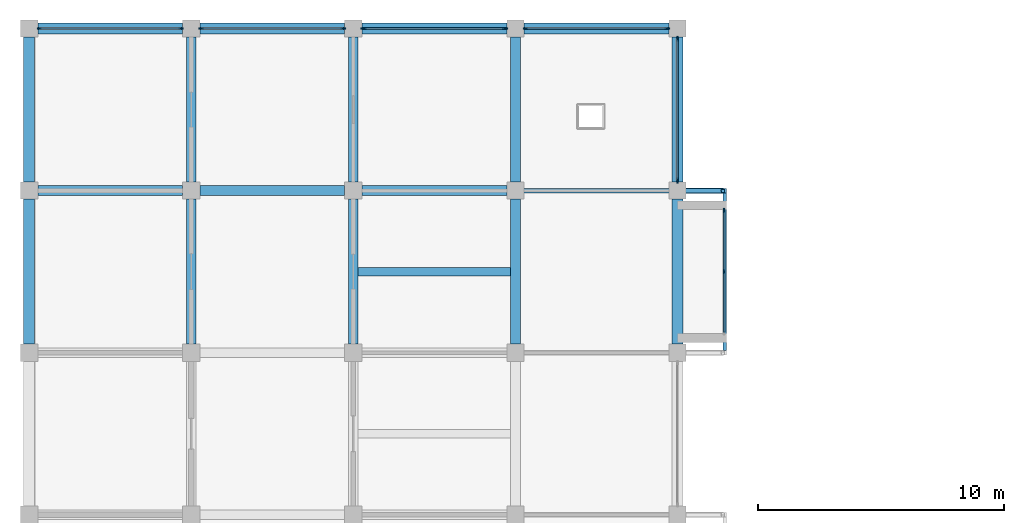
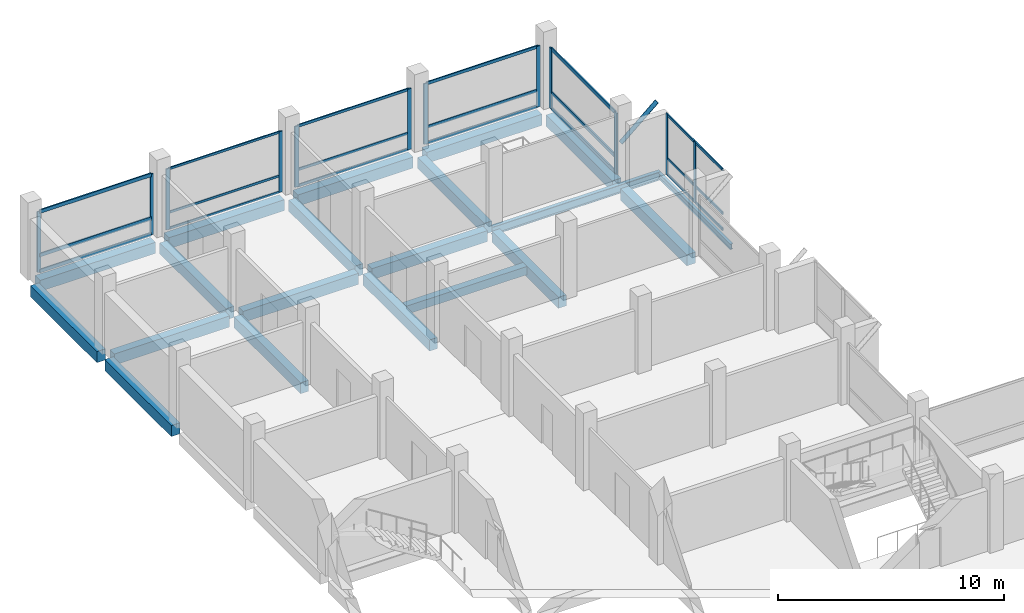
# One storey, part 5 of 10: 34 members, 20 beams, 6 elements without a shape of their own.
"""IFC4 building model written with IfcOpenShell, lengths in metres."""

from ifc_helpers import new_model, si_unit, direction, frame, origin, origin_2d, place, context, subcontext, project, spatial, rectangle, hollow_circle, i_section, extrude, material, material_profile, profile_set, type_object, element, aggregate, save


model = new_model("IFC4")

# Units and contexts
model_context = context("Model", 3, precision=1e-05, world=origin(), true_north=direction((0.0, 1.0)))
body_context = subcontext(model_context, "Body", "Model", "MODEL_VIEW")
ifc_project = project(units=[si_unit("LENGTHUNIT", "METRE"), si_unit("AREAUNIT", "SQUARE_METRE"), si_unit("VOLUMEUNIT", "CUBIC_METRE"), si_unit("PLANEANGLEUNIT", "RADIAN"), si_unit("MASSUNIT", "GRAM", prefix="KILO")], contexts=[model_context])

# Site, building, storey
site_placement = place(None, origin())
site = spatial("IfcSite", under=ifc_project, at=site_placement, CompositionType="ELEMENT")
building_placement = place(site_placement, origin())
building = spatial("IfcBuilding", under=site, at=building_placement, Name="Rusizi Kubbe Research Institute", CompositionType="ELEMENT")
storey_placement = place(building_placement, frame((0.0, 0.0, 48.0)))
storey = spatial("IfcBuildingStorey", under=building, at=storey_placement, Name="L11", CompositionType="ELEMENT", Elevation=48.0)

# Beams
ifc_material_1 = material(Name="Steel S355", Category="steel")
ifc_material_profile_1 = material_profile(ifc_material_1, i_section(OverallWidth=0.14990234375, OverallDepth=0.300048828125, WebThickness=0.007080078125, FlangeThickness=0.0107421875, at=origin_2d()), Name="IPE 300")
ifc_profile_set_1 = profile_set([ifc_material_profile_1], Name="Steel S355")
beam_type_1 = type_object("IfcBeamType", Name="BM-IPE300", PredefinedType="BEAM", material=ifc_profile_set_1)
beam_1_placement = place(storey_placement, frame((28.324951171875, 46.294921875, -0.4599609375), z_axis=(0.0, 1.0, 0.0), x_axis=(-1.0, 0.0, 0.0)))
element("IfcBeam", 1, at=beam_1_placement, inside=storey, type_object=beam_type_1, Name="Cumba Edge Tie Beam L11-2", PredefinedType="BEAM", context=body_context, shape_type="SweptSolid", body=[
    extrude(i_section(OverallWidth=0.14990234375, OverallDepth=0.300048828125, WebThickness=0.007080078125, FlangeThickness=0.0107421875, at=origin_2d()), origin(), (0.0, 0.0, 1.0), 6.41015625),
])
ifc_material_2 = material(Name="Steel S355", Category="steel")
ifc_material_profile_2 = material_profile(ifc_material_2, i_section(OverallWidth=0.18994140625, OverallDepth=0.449951171875, WebThickness=0.009521484375, FlangeThickness=0.0146484375, at=origin_2d()), Name="IPE 450")
ifc_profile_set_2 = profile_set([ifc_material_profile_2], Name="Steel S355")
beam_type_2 = type_object("IfcBeamType", Name="BM-IPE450", PredefinedType="BEAM", material=ifc_profile_set_2)
beam_2_placement = place(storey_placement, frame((19.800048828125, 52.800048828125, -0.534912109375), z_axis=(1.0, 0.0, 0.0), x_axis=(0.0, 1.0, 0.0)))
element("IfcBeam", 2, at=beam_2_placement, inside=storey, type_object=beam_type_2, Name="Cumba Back-Spanned Cantilever Beam L11-2N", PredefinedType="BEAM", context=body_context, shape_type="SweptSolid", body=[
    extrude(i_section(OverallWidth=0.18994140625, OverallDepth=0.449951171875, WebThickness=0.009521484375, FlangeThickness=0.0146484375, at=origin_2d()), origin(), (0.0, 0.0, 1.0), 8.599853515625),
])
ifc_material_3 = material(Name="Concrete C40/50", Category="concrete")
ifc_material_profile_3 = material_profile(ifc_material_3, rectangle(XDim=0.35009765625, YDim=0.449951171875, at=origin_2d()), Name="RC350x450")
ifc_profile_set_3 = profile_set([ifc_material_profile_3], Name="Concrete C40/50")
beam_type_3 = type_object("IfcBeamType", Name="BM-RC350x450", PredefinedType="JOIST", material=ifc_profile_set_3)
beam_3_placement = place(storey_placement, frame((13.39990234375, 49.5, -0.534912109375), z_axis=(1.0, 0.0, 0.0), x_axis=(0.0, 1.0, 0.0)))
element("IfcBeam", 3, at=beam_3_placement, inside=storey, type_object=beam_type_3, Name="Lab Stiffener Joist L11 (2,7)", PredefinedType="JOIST", context=body_context, shape_type="SweptSolid", body=[
    extrude(rectangle(XDim=0.35009765625, YDim=0.449951171875, at=origin_2d()), origin(), (0.0, 0.0, 1.0), 6.2001953125),
])
ifc_material_4 = material(Name="Concrete C40/50", Category="concrete")
ifc_material_profile_4 = material_profile(ifc_material_4, rectangle(XDim=0.39990234375, YDim=0.60009765625, at=origin_2d()), Name="RC400x600")
ifc_profile_set_4 = profile_set([ifc_material_profile_4], Name="Concrete C40/50")
beam_type_4 = type_object("IfcBeamType", Name="BM-RC400x600", PredefinedType="BEAM", material=ifc_profile_set_4)
beam_4_placement = place(storey_placement, frame((0.35009765625, 52.800048828125, -0.610107421875), z_axis=(1.0, 0.0, 0.0), x_axis=(0.0, 1.0, 0.0)))
element("IfcBeam", 4, at=beam_4_placement, inside=storey, type_object=beam_type_4, Name="Grid Beam H L11 (0,8)", PredefinedType="BEAM", context=body_context, shape_type="SweptSolid", body=[
    extrude(rectangle(XDim=0.39990234375, YDim=0.60009765625, at=origin_2d()), origin(), (0.0, 0.0, 1.0), 5.89990234375),
])
beam_5_placement = place(storey_placement, frame((6.949951171875, 52.800048828125, -0.610107421875), z_axis=(1.0, 0.0, 0.0), x_axis=(0.0, 1.0, 0.0)))
element("IfcBeam", 5, at=beam_5_placement, inside=storey, type_object=beam_type_4, Name="Grid Beam H L11 (1,8)", PredefinedType="BEAM", context=body_context, shape_type="SweptSolid", body=[
    extrude(rectangle(XDim=0.39990234375, YDim=0.60009765625, at=origin_2d()), origin(), (0.0, 0.0, 1.0), 5.900146484375),
])
for number, where, z_axis, x_axis, name in (
    (6, (13.550048828125, 52.800048828125, -0.610107421875), (1.0, 0.0, 0.0), (0.0, 1.0, 0.0), "Grid Beam H L11 (2,8)"),
    (7, (6.60009765625, 46.550048828125, -0.610107421875), (0.0, 1.0, 0.0), (-1.0, 0.0, 0.0), "Grid Beam V L11 (1,7)"),
):
    element("IfcBeam", number, at=place(storey_placement, frame(where, z_axis=z_axis, x_axis=x_axis)), inside=storey, type_object=beam_type_4, Name=name, PredefinedType="BEAM", context=body_context, shape_type="SweptSolid", body=[
        extrude(rectangle(XDim=0.39990234375, YDim=0.60009765625, at=origin_2d()), origin(), (0.0, 0.0, 1.0), 5.89990234375),
    ])
beam_6_placement = place(storey_placement, frame((6.60009765625, 53.14990234375, -0.610107421875), z_axis=(0.0, 1.0, 0.0), x_axis=(-1.0, 0.0, 0.0)))
element("IfcBeam", 8, at=beam_6_placement, inside=storey, type_object=beam_type_4, Name="Grid Beam V L11 (1,8)", PredefinedType="BEAM", context=body_context, shape_type="SweptSolid", body=[
    extrude(rectangle(XDim=0.39990234375, YDim=0.60009765625, at=origin_2d()), origin(), (0.0, 0.0, 1.0), 5.900146484375),
])
beam_7_placement = place(storey_placement, frame((13.199951171875, 46.550048828125, -0.610107421875), z_axis=(0.0, 1.0, 0.0), x_axis=(-1.0, 0.0, 0.0)))
element("IfcBeam", 9, at=beam_7_placement, inside=storey, type_object=beam_type_4, Name="Grid Beam V L11 (2,7)", PredefinedType="BEAM", context=body_context, shape_type="SweptSolid", body=[
    extrude(rectangle(XDim=0.39990234375, YDim=0.60009765625, at=origin_2d()), origin(), (0.0, 0.0, 1.0), 5.89990234375),
])
beam_8_placement = place(storey_placement, frame((13.199951171875, 53.14990234375, -0.610107421875), z_axis=(0.0, 1.0, 0.0), x_axis=(-1.0, 0.0, 0.0)))
element("IfcBeam", 10, at=beam_8_placement, inside=storey, type_object=beam_type_4, Name="Grid Beam V L11 (2,8)", PredefinedType="BEAM", context=body_context, shape_type="SweptSolid", body=[
    extrude(rectangle(XDim=0.39990234375, YDim=0.60009765625, at=origin_2d()), origin(), (0.0, 0.0, 1.0), 5.900146484375),
])
beam_9_placement = place(storey_placement, frame((19.800048828125, 46.550048828125, -0.610107421875), z_axis=(0.0, 1.0, 0.0), x_axis=(-1.0, 0.0, 0.0)))
element("IfcBeam", 11, at=beam_9_placement, inside=storey, type_object=beam_type_4, Name="Grid Beam V L11 (3,7)", PredefinedType="BEAM", context=body_context, shape_type="SweptSolid", body=[
    extrude(rectangle(XDim=0.39990234375, YDim=0.60009765625, at=origin_2d()), origin(), (0.0, 0.0, 1.0), 5.89990234375),
])
beam_10_placement = place(storey_placement, frame((19.800048828125, 53.14990234375, -0.610107421875), z_axis=(0.0, 1.0, 0.0), x_axis=(-1.0, 0.0, 0.0)))
element("IfcBeam", 12, at=beam_10_placement, inside=storey, type_object=beam_type_4, Name="Grid Beam V L11 (3,8)", PredefinedType="BEAM", context=body_context, shape_type="SweptSolid", body=[
    extrude(rectangle(XDim=0.39990234375, YDim=0.60009765625, at=origin_2d()), origin(), (0.0, 0.0, 1.0), 5.900146484375),
])
ifc_material_5 = material(Name="Concrete C40/50", Category="concrete")
ifc_material_profile_5 = material_profile(ifc_material_5, rectangle(XDim=0.449951171875, YDim=0.60009765625, at=origin_2d()), Name="RC450x600")
ifc_profile_set_5 = profile_set([ifc_material_profile_5], Name="Concrete C40/50")
beam_type_5 = type_object("IfcBeamType", Name="BM-RC450x600", PredefinedType="SPANDREL", material=ifc_profile_set_5)
beam_11_placement = place(storey_placement, frame((0.35009765625, 59.39990234375, -0.610107421875), z_axis=(1.0, 0.0, 0.0), x_axis=(0.0, 1.0, 0.0)))
element("IfcBeam", 13, at=beam_11_placement, inside=storey, type_object=beam_type_5, Name="Grid Beam H L11 (0,9)", PredefinedType="SPANDREL", context=body_context, shape_type="SweptSolid", body=[
    extrude(rectangle(XDim=0.449951171875, YDim=0.60009765625, at=origin_2d()), origin(), (0.0, 0.0, 1.0), 5.89990234375),
])
beam_12_placement = place(storey_placement, frame((6.949951171875, 59.39990234375, -0.610107421875), z_axis=(1.0, 0.0, 0.0), x_axis=(0.0, 1.0, 0.0)))
element("IfcBeam", 14, at=beam_12_placement, inside=storey, type_object=beam_type_5, Name="Grid Beam H L11 (1,9)", PredefinedType="SPANDREL", context=body_context, shape_type="SweptSolid", body=[
    extrude(rectangle(XDim=0.449951171875, YDim=0.60009765625, at=origin_2d()), origin(), (0.0, 0.0, 1.0), 5.900146484375),
])
beam_13_placement = place(storey_placement, frame((13.550048828125, 59.39990234375, -0.610107421875), z_axis=(1.0, 0.0, 0.0), x_axis=(0.0, 1.0, 0.0)))
element("IfcBeam", 15, at=beam_13_placement, inside=storey, type_object=beam_type_5, Name="Grid Beam H L11 (2,9)", PredefinedType="SPANDREL", context=body_context, shape_type="SweptSolid", body=[
    extrude(rectangle(XDim=0.449951171875, YDim=0.60009765625, at=origin_2d()), origin(), (0.0, 0.0, 1.0), 5.89990234375),
])
beam_14_placement = place(storey_placement, frame((20.14990234375, 59.39990234375, -0.610107421875), z_axis=(1.0, 0.0, 0.0), x_axis=(0.0, 1.0, 0.0)))
element("IfcBeam", 16, at=beam_14_placement, inside=storey, type_object=beam_type_5, Name="Grid Beam H L11 (3,9)", PredefinedType="SPANDREL", context=body_context, shape_type="SweptSolid", body=[
    extrude(rectangle(XDim=0.449951171875, YDim=0.60009765625, at=origin_2d()), origin(), (0.0, 0.0, 1.0), 5.900146484375),
])
beam_15_placement = place(storey_placement, frame((0.0, 46.550048828125, -0.610107421875), z_axis=(0.0, 1.0, 0.0), x_axis=(-1.0, 0.0, 0.0)))
element("IfcBeam", 17, at=beam_15_placement, inside=storey, type_object=beam_type_5, Name="Grid Beam V L11 (0,7)", PredefinedType="SPANDREL", context=body_context, shape_type="SweptSolid", body=[
    extrude(rectangle(XDim=0.449951171875, YDim=0.60009765625, at=origin_2d()), origin(), (0.0, 0.0, 1.0), 5.89990234375),
])
beam_16_placement = place(storey_placement, frame((0.0, 53.14990234375, -0.610107421875), z_axis=(0.0, 1.0, 0.0), x_axis=(-1.0, 0.0, 0.0)))
element("IfcBeam", 18, at=beam_16_placement, inside=storey, type_object=beam_type_5, Name="Grid Beam V L11 (0,8)", PredefinedType="SPANDREL", context=body_context, shape_type="SweptSolid", body=[
    extrude(rectangle(XDim=0.449951171875, YDim=0.60009765625, at=origin_2d()), origin(), (0.0, 0.0, 1.0), 5.900146484375),
])
beam_17_placement = place(storey_placement, frame((26.39990234375, 46.550048828125, -0.610107421875), z_axis=(0.0, 1.0, 0.0), x_axis=(-1.0, 0.0, 0.0)))
element("IfcBeam", 19, at=beam_17_placement, inside=storey, type_object=beam_type_5, Name="Grid Beam V L11 (4,7)", PredefinedType="SPANDREL", context=body_context, shape_type="SweptSolid", body=[
    extrude(rectangle(XDim=0.449951171875, YDim=0.60009765625, at=origin_2d()), origin(), (0.0, 0.0, 1.0), 5.89990234375),
])
beam_18_placement = place(storey_placement, frame((26.39990234375, 53.14990234375, -0.610107421875), z_axis=(0.0, 1.0, 0.0), x_axis=(-1.0, 0.0, 0.0)))
element("IfcBeam", 20, at=beam_18_placement, inside=storey, type_object=beam_type_5, Name="Grid Beam V L11 (4,8)", PredefinedType="SPANDREL", context=body_context, shape_type="SweptSolid", body=[
    extrude(rectangle(XDim=0.449951171875, YDim=0.60009765625, at=origin_2d()), origin(), (0.0, 0.0, 1.0), 5.900146484375),
])

# Member
ifc_material_6 = material(Name="Steel S355", Category="steel")
ifc_material_profile_6 = material_profile(ifc_material_6, hollow_circle(Radius=0.109619140625, WallThickness=0.008056640625, at=origin_2d()), Name="CHS 219.1x8.0")
ifc_profile_set_6 = profile_set([ifc_material_profile_6], Name="Steel S355")
member_type_1 = type_object("IfcMemberType", Name="MB-CHS219", PredefinedType="BRACE", material=ifc_profile_set_6)
member_1_placement = place(storey_placement, frame((26.39990234375, 52.800048828125, 1.889892578125), z_axis=(0.756360503059, 0.0, 0.654155019405), x_axis=(0.0, 1.0, 0.0)))
element("IfcMember", 21, at=member_1_placement, inside=storey, type_object=member_type_1, Name="Cumba Diagonal Corbel Brace L12-2N", PredefinedType="BRACE", context=body_context, shape_type="SweptSolid", body=[
    extrude(hollow_circle(Radius=0.109619140625, WallThickness=0.008056640625, at=origin_2d()), origin(), (0.0, 0.0, 1.0), 2.446044921875),
])

# Curtain wall, members
ifc_material_7 = material(Name="Thermally Broken Aluminium and Low-E Glazing", Category="aluminium")
curtain_wall_type_1 = type_object("IfcCurtainWallType", Name="CW-12", PredefinedType="NOTDEFINED", material=ifc_material_7)
curtain_wall_1_placement = place(storey_placement, origin())
curtain_wall_1 = element("IfcCurtainWall", 22, at=curtain_wall_1_placement, inside=storey, type_object=curtain_wall_type_1, Name="Unitised Facade Curtain Wall CW-L11-H-00-09", PredefinedType="NOTDEFINED")
ifc_material_8 = material(Name="Aluminium Alloy 6063-T6", Category="aluminium")
ifc_material_profile_7 = material_profile(ifc_material_8, rectangle(XDim=0.06005859375, YDim=0.179931640625, at=origin_2d()), Name="ALU-M 60x180")
ifc_profile_set_7 = profile_set([ifc_material_profile_7], Name="Aluminium Alloy 6063-T6")
member_type_2 = type_object("IfcMemberType", Name="ML-02", PredefinedType="MULLION", material=ifc_profile_set_7)
member_2_placement = place(storey_placement, frame((0.409912109375, 59.39990234375, 0.0), z_axis=(0.0, 0.0, 1.0), x_axis=(0.0, 1.0, 0.0)))
member_2 = element("IfcMember", 23, at=member_2_placement, type_object=member_type_2, Name="CW-12 mullion 1", PredefinedType="MULLION", context=body_context, shape_type="SweptSolid", body=[
    extrude(rectangle(XDim=0.06005859375, YDim=0.179931640625, at=origin_2d()), origin(), (0.0, 0.0, 1.0), 3.2900390625),
])
member_3_placement = place(storey_placement, frame((6.18994140625, 59.39990234375, 0.0), z_axis=(0.0, 0.0, 1.0), x_axis=(0.0, 1.0, 0.0)))
member_3 = element("IfcMember", 24, at=member_3_placement, type_object=member_type_2, Name="CW-12 mullion 2", PredefinedType="MULLION", context=body_context, shape_type="SweptSolid", body=[
    extrude(rectangle(XDim=0.06005859375, YDim=0.179931640625, at=origin_2d()), origin(), (0.0, 0.0, 1.0), 3.2900390625),
])

ifc_material_9 = material(Name="Thermally Broken Aluminium and Low-E Glazing", Category="aluminium")
curtain_wall_type_2 = type_object("IfcCurtainWallType", Name="CW-04", PredefinedType="NOTDEFINED", material=ifc_material_9)
curtain_wall_2_placement = place(storey_placement, origin())
curtain_wall_2 = element("IfcCurtainWall", 25, at=curtain_wall_2_placement, inside=storey, type_object=curtain_wall_type_2, Name="Cumba Glazed Curtain Wall CW-CUMBA-L11-121", PredefinedType="NOTDEFINED")
member_4_placement = place(storey_placement, frame((28.300048828125, 49.5, 0.0), z_axis=(0.0, 0.0, 1.0), x_axis=(-1.0, 0.0, 0.0)))
member_4 = element("IfcMember", 26, at=member_4_placement, type_object=member_type_2, Name="CW-04 mullion 2", PredefinedType="MULLION", context=body_context, shape_type="SweptSolid", body=[
    extrude(rectangle(XDim=0.06005859375, YDim=0.179931640625, at=origin_2d()), origin(), (0.0, 0.0, 1.0), 3.2900390625),
])
member_5_placement = place(storey_placement, frame((28.300048828125, 51.987548828125, 0.0), z_axis=(0.0, 0.0, 1.0), x_axis=(-1.0, 0.0, 0.0)))
member_5 = element("IfcMember", 27, at=member_5_placement, type_object=member_type_2, Name="CW-04 mullion 3", PredefinedType="MULLION", context=body_context, shape_type="SweptSolid", body=[
    extrude(rectangle(XDim=0.06005859375, YDim=0.179931640625, at=origin_2d()), origin(), (0.0, 0.0, 1.0), 3.2900390625),
])

ifc_material_10 = material(Name="Thermally Broken Aluminium and Low-E Glazing", Category="aluminium")
curtain_wall_type_3 = type_object("IfcCurtainWallType", Name="CW-13", PredefinedType="NOTDEFINED", material=ifc_material_10)
curtain_wall_3_placement = place(storey_placement, origin())
curtain_wall_3 = element("IfcCurtainWall", 28, at=curtain_wall_3_placement, inside=storey, type_object=curtain_wall_type_3, Name="Unitised Facade Curtain Wall CW-L11-H-01-09", PredefinedType="NOTDEFINED")
ifc_material_11 = material(Name="Aluminium Alloy 6063-T6", Category="aluminium")
ifc_material_profile_8 = material_profile(ifc_material_11, rectangle(XDim=0.06494140625, YDim=0.199951171875, at=origin_2d()), Name="ALU-M 65x200")
ifc_profile_set_8 = profile_set([ifc_material_profile_8], Name="Aluminium Alloy 6063-T6")
member_type_3 = type_object("IfcMemberType", Name="ML-03", PredefinedType="MULLION", material=ifc_profile_set_8)
member_6_placement = place(storey_placement, frame((7.012451171875, 59.39990234375, 0.0), z_axis=(0.0, 0.0, 1.0), x_axis=(0.0, 1.0, 0.0)))
member_6 = element("IfcMember", 29, at=member_6_placement, type_object=member_type_3, Name="CW-13 mullion 1", PredefinedType="MULLION", context=body_context, shape_type="SweptSolid", body=[
    extrude(rectangle(XDim=0.06494140625, YDim=0.199951171875, at=origin_2d()), origin(), (0.0, 0.0, 1.0), 3.2900390625),
])
member_7_placement = place(storey_placement, frame((12.78759765625, 59.39990234375, 0.0), z_axis=(0.0, 0.0, 1.0), x_axis=(0.0, 1.0, 0.0)))
member_7 = element("IfcMember", 30, at=member_7_placement, type_object=member_type_3, Name="CW-13 mullion 2", PredefinedType="MULLION", context=body_context, shape_type="SweptSolid", body=[
    extrude(rectangle(XDim=0.06494140625, YDim=0.199951171875, at=origin_2d()), origin(), (0.0, 0.0, 1.0), 3.2900390625),
])

curtain_wall_4_placement = place(storey_placement, origin())
curtain_wall_4 = element("IfcCurtainWall", 31, at=curtain_wall_4_placement, inside=storey, type_object=curtain_wall_type_3, Name="Unitised Facade Curtain Wall CW-L11-H-03-09", PredefinedType="NOTDEFINED")
member_8_placement = place(storey_placement, frame((20.21240234375, 59.39990234375, 0.0), z_axis=(0.0, 0.0, 1.0), x_axis=(0.0, 1.0, 0.0)))
member_8 = element("IfcMember", 32, at=member_8_placement, type_object=member_type_3, Name="CW-13 mullion 1", PredefinedType="MULLION", context=body_context, shape_type="SweptSolid", body=[
    extrude(rectangle(XDim=0.06494140625, YDim=0.199951171875, at=origin_2d()), origin(), (0.0, 0.0, 1.0), 3.2900390625),
])
member_9_placement = place(storey_placement, frame((25.987548828125, 59.39990234375, 0.0), z_axis=(0.0, 0.0, 1.0), x_axis=(0.0, 1.0, 0.0)))
member_9 = element("IfcMember", 33, at=member_9_placement, type_object=member_type_3, Name="CW-13 mullion 2", PredefinedType="MULLION", context=body_context, shape_type="SweptSolid", body=[
    extrude(rectangle(XDim=0.06494140625, YDim=0.199951171875, at=origin_2d()), origin(), (0.0, 0.0, 1.0), 3.2900390625),
])

curtain_wall_5_placement = place(storey_placement, origin())
curtain_wall_5 = element("IfcCurtainWall", 34, at=curtain_wall_5_placement, inside=storey, type_object=curtain_wall_type_1, Name="Unitised Facade Curtain Wall CW-L11-H-02-09", PredefinedType="NOTDEFINED")
ifc_material_12 = material(Name="Aluminium Alloy 6063-T6", Category="aluminium")
ifc_material_profile_9 = material_profile(ifc_material_12, rectangle(XDim=0.070068359375, YDim=0.219970703125, at=origin_2d()), Name="ALU-M 70x220")
ifc_profile_set_9 = profile_set([ifc_material_profile_9], Name="Aluminium Alloy 6063-T6")
member_type_4 = type_object("IfcMemberType", Name="ML-04", PredefinedType="MULLION", material=ifc_profile_set_9)
member_10_placement = place(storey_placement, frame((13.614990234375, 59.39990234375, 0.0), z_axis=(0.0, 0.0, 1.0), x_axis=(0.0, 1.0, 0.0)))
member_10 = element("IfcMember", 35, at=member_10_placement, type_object=member_type_4, Name="CW-12 mullion 1", PredefinedType="MULLION", context=body_context, shape_type="SweptSolid", body=[
    extrude(rectangle(XDim=0.070068359375, YDim=0.219970703125, at=origin_2d()), origin(), (0.0, 0.0, 1.0), 3.2900390625),
])
member_11_placement = place(storey_placement, frame((19.385009765625, 59.39990234375, 0.0), z_axis=(0.0, 0.0, 1.0), x_axis=(0.0, 1.0, 0.0)))
member_11 = element("IfcMember", 36, at=member_11_placement, type_object=member_type_4, Name="CW-12 mullion 2", PredefinedType="MULLION", context=body_context, shape_type="SweptSolid", body=[
    extrude(rectangle(XDim=0.070068359375, YDim=0.219970703125, at=origin_2d()), origin(), (0.0, 0.0, 1.0), 3.2900390625),
])

curtain_wall_6_placement = place(storey_placement, origin())
curtain_wall_6 = element("IfcCurtainWall", 37, at=curtain_wall_6_placement, inside=storey, type_object=curtain_wall_type_1, Name="Unitised Facade Curtain Wall CW-L11-V-04-08", PredefinedType="NOTDEFINED")
member_12_placement = place(storey_placement, frame((26.39990234375, 53.215087890625, 0.0), z_axis=(0.0, 0.0, 1.0), x_axis=(-1.0, 0.0, 0.0)))
member_12 = element("IfcMember", 38, at=member_12_placement, type_object=member_type_4, Name="CW-12 mullion 1", PredefinedType="MULLION", context=body_context, shape_type="SweptSolid", body=[
    extrude(rectangle(XDim=0.070068359375, YDim=0.219970703125, at=origin_2d()), origin(), (0.0, 0.0, 1.0), 3.2900390625),
])
member_13_placement = place(storey_placement, frame((26.39990234375, 58.985107421875, 0.0), z_axis=(0.0, 0.0, 1.0), x_axis=(-1.0, 0.0, 0.0)))
member_13 = element("IfcMember", 39, at=member_13_placement, type_object=member_type_4, Name="CW-12 mullion 2", PredefinedType="MULLION", context=body_context, shape_type="SweptSolid", body=[
    extrude(rectangle(XDim=0.070068359375, YDim=0.219970703125, at=origin_2d()), origin(), (0.0, 0.0, 1.0), 3.2900390625),
])

# Member
ifc_material_13 = material(Name="Aluminium Alloy 6063-T6", Category="aluminium")
ifc_material_profile_10 = material_profile(ifc_material_13, rectangle(XDim=0.06005859375, YDim=0.1201171875, at=origin_2d()), Name="ALU-T 60x120")
ifc_profile_set_10 = profile_set([ifc_material_profile_10], Name="Aluminium Alloy 6063-T6")
member_type_5 = type_object("IfcMemberType", Name="TR-01", PredefinedType="USERDEFINED", material=ifc_profile_set_10)
member_14_placement = place(storey_placement, frame((7.044921875, 59.39990234375, 0.030029296875), z_axis=(1.0, 0.0, 0.0), x_axis=(0.0, 1.0, 0.0)))
member_14 = element("IfcMember", 40, at=member_14_placement, type_object=member_type_5, Name="CW-13 transom 1.1", ObjectType="TRANSOM", PredefinedType="USERDEFINED", context=body_context, shape_type="SweptSolid", body=[
    extrude(rectangle(XDim=0.06005859375, YDim=0.1201171875, at=origin_2d()), origin(), (0.0, 0.0, 1.0), 5.7099609375),
])

member_15_placement = place(storey_placement, frame((7.044921875, 59.39990234375, 0.89990234375), z_axis=(1.0, 0.0, 0.0), x_axis=(0.0, 1.0, 0.0)))
member_15 = element("IfcMember", 41, at=member_15_placement, type_object=member_type_5, Name="CW-13 transom 1.2", ObjectType="TRANSOM", PredefinedType="USERDEFINED", context=body_context, shape_type="SweptSolid", body=[
    extrude(rectangle(XDim=0.06005859375, YDim=0.1201171875, at=origin_2d()), origin(), (0.0, 0.0, 1.0), 5.7099609375),
])

member_16_placement = place(storey_placement, frame((7.044921875, 59.39990234375, 3.260009765625), z_axis=(1.0, 0.0, 0.0), x_axis=(0.0, 1.0, 0.0)))
member_16 = element("IfcMember", 42, at=member_16_placement, type_object=member_type_5, Name="CW-13 transom 1.3", ObjectType="TRANSOM", PredefinedType="USERDEFINED", context=body_context, shape_type="SweptSolid", body=[
    extrude(rectangle(XDim=0.06005859375, YDim=0.1201171875, at=origin_2d()), origin(), (0.0, 0.0, 1.0), 5.7099609375),
])

aggregate(curtain_wall_3, [member_6, member_7, member_14, member_15, member_16])

ifc_material_14 = material(Name="Aluminium Alloy 6063-T6", Category="aluminium")
ifc_material_profile_11 = material_profile(ifc_material_14, rectangle(XDim=0.06005859375, YDim=0.139892578125, at=origin_2d()), Name="ALU-T 60x140")
ifc_profile_set_11 = profile_set([ifc_material_profile_11], Name="Aluminium Alloy 6063-T6")
member_type_6 = type_object("IfcMemberType", Name="TR-02", PredefinedType="USERDEFINED", material=ifc_profile_set_11)
member_17_placement = place(storey_placement, frame((13.64990234375, 59.39990234375, 0.030029296875), z_axis=(1.0, 0.0, 0.0), x_axis=(0.0, 1.0, 0.0)))
member_17 = element("IfcMember", 43, at=member_17_placement, type_object=member_type_6, Name="CW-12 transom 1.1", ObjectType="TRANSOM", PredefinedType="USERDEFINED", context=body_context, shape_type="SweptSolid", body=[
    extrude(rectangle(XDim=0.06005859375, YDim=0.139892578125, at=origin_2d()), origin(), (0.0, 0.0, 1.0), 5.7001953125),
])

member_18_placement = place(storey_placement, frame((13.64990234375, 59.39990234375, 0.89990234375), z_axis=(1.0, 0.0, 0.0), x_axis=(0.0, 1.0, 0.0)))
member_18 = element("IfcMember", 44, at=member_18_placement, type_object=member_type_6, Name="CW-12 transom 1.2", ObjectType="TRANSOM", PredefinedType="USERDEFINED", context=body_context, shape_type="SweptSolid", body=[
    extrude(rectangle(XDim=0.06005859375, YDim=0.139892578125, at=origin_2d()), origin(), (0.0, 0.0, 1.0), 5.7001953125),
])

member_19_placement = place(storey_placement, frame((13.64990234375, 59.39990234375, 3.260009765625), z_axis=(1.0, 0.0, 0.0), x_axis=(0.0, 1.0, 0.0)))
member_19 = element("IfcMember", 45, at=member_19_placement, type_object=member_type_6, Name="CW-12 transom 1.3", ObjectType="TRANSOM", PredefinedType="USERDEFINED", context=body_context, shape_type="SweptSolid", body=[
    extrude(rectangle(XDim=0.06005859375, YDim=0.139892578125, at=origin_2d()), origin(), (0.0, 0.0, 1.0), 5.7001953125),
])

aggregate(curtain_wall_5, [member_10, member_11, member_17, member_18, member_19])

member_20_placement = place(storey_placement, frame((28.300048828125, 47.04248046875, 0.030029296875), z_axis=(0.0, 1.0, 0.0), x_axis=(-1.0, 0.0, 0.0)))
member_20 = element("IfcMember", 46, at=member_20_placement, type_object=member_type_6, Name="CW-04 transom 1.1", ObjectType="TRANSOM", PredefinedType="USERDEFINED", context=body_context, shape_type="SweptSolid", body=[
    extrude(rectangle(XDim=0.06005859375, YDim=0.139892578125, at=origin_2d()), origin(), (0.0, 0.0, 1.0), 2.427490234375),
])

member_21_placement = place(storey_placement, frame((28.300048828125, 47.04248046875, 0.89990234375), z_axis=(0.0, 1.0, 0.0), x_axis=(-1.0, 0.0, 0.0)))
member_21 = element("IfcMember", 47, at=member_21_placement, type_object=member_type_6, Name="CW-04 transom 1.2", ObjectType="TRANSOM", PredefinedType="USERDEFINED", context=body_context, shape_type="SweptSolid", body=[
    extrude(rectangle(XDim=0.06005859375, YDim=0.139892578125, at=origin_2d()), origin(), (0.0, 0.0, 1.0), 2.427490234375),
])

member_22_placement = place(storey_placement, frame((28.300048828125, 47.04248046875, 3.260009765625), z_axis=(0.0, 1.0, 0.0), x_axis=(-1.0, 0.0, 0.0)))
member_22 = element("IfcMember", 48, at=member_22_placement, type_object=member_type_6, Name="CW-04 transom 1.3", ObjectType="TRANSOM", PredefinedType="USERDEFINED", context=body_context, shape_type="SweptSolid", body=[
    extrude(rectangle(XDim=0.06005859375, YDim=0.139892578125, at=origin_2d()), origin(), (0.0, 0.0, 1.0), 2.427490234375),
])

member_23_placement = place(storey_placement, frame((28.300048828125, 49.530029296875, 0.030029296875), z_axis=(0.0, 1.0, 0.0), x_axis=(-1.0, 0.0, 0.0)))
member_23 = element("IfcMember", 49, at=member_23_placement, type_object=member_type_6, Name="CW-04 transom 2.1", ObjectType="TRANSOM", PredefinedType="USERDEFINED", context=body_context, shape_type="SweptSolid", body=[
    extrude(rectangle(XDim=0.06005859375, YDim=0.139892578125, at=origin_2d()), origin(), (0.0, 0.0, 1.0), 2.427490234375),
])

member_24_placement = place(storey_placement, frame((28.300048828125, 49.530029296875, 0.89990234375), z_axis=(0.0, 1.0, 0.0), x_axis=(-1.0, 0.0, 0.0)))
member_24 = element("IfcMember", 50, at=member_24_placement, type_object=member_type_6, Name="CW-04 transom 2.2", ObjectType="TRANSOM", PredefinedType="USERDEFINED", context=body_context, shape_type="SweptSolid", body=[
    extrude(rectangle(XDim=0.06005859375, YDim=0.139892578125, at=origin_2d()), origin(), (0.0, 0.0, 1.0), 2.427490234375),
])

member_25_placement = place(storey_placement, frame((28.300048828125, 49.530029296875, 3.260009765625), z_axis=(0.0, 1.0, 0.0), x_axis=(-1.0, 0.0, 0.0)))
member_25 = element("IfcMember", 51, at=member_25_placement, type_object=member_type_6, Name="CW-04 transom 2.3", ObjectType="TRANSOM", PredefinedType="USERDEFINED", context=body_context, shape_type="SweptSolid", body=[
    extrude(rectangle(XDim=0.06005859375, YDim=0.139892578125, at=origin_2d()), origin(), (0.0, 0.0, 1.0), 2.427490234375),
])

aggregate(curtain_wall_2, [member_4, member_5, member_20, member_21, member_22, member_23, member_24, member_25])

ifc_material_15 = material(Name="Aluminium Alloy 6063-T6", Category="aluminium")
ifc_material_profile_12 = material_profile(ifc_material_15, rectangle(XDim=0.06494140625, YDim=0.159912109375, at=origin_2d()), Name="ALU-T 65x160")
ifc_profile_set_12 = profile_set([ifc_material_profile_12], Name="Aluminium Alloy 6063-T6")
member_type_7 = type_object("IfcMemberType", Name="TR-03", PredefinedType="USERDEFINED", material=ifc_profile_set_12)
member_26_placement = place(storey_placement, frame((20.2451171875, 59.39990234375, 0.032470703125), z_axis=(1.0, 0.0, 0.0), x_axis=(0.0, 1.0, 0.0)))
member_26 = element("IfcMember", 52, at=member_26_placement, type_object=member_type_7, Name="CW-13 transom 1.1", ObjectType="TRANSOM", PredefinedType="USERDEFINED", context=body_context, shape_type="SweptSolid", body=[
    extrude(rectangle(XDim=0.06494140625, YDim=0.159912109375, at=origin_2d()), origin(), (0.0, 0.0, 1.0), 5.7099609375),
])

member_27_placement = place(storey_placement, frame((20.2451171875, 59.39990234375, 0.89990234375), z_axis=(1.0, 0.0, 0.0), x_axis=(0.0, 1.0, 0.0)))
member_27 = element("IfcMember", 53, at=member_27_placement, type_object=member_type_7, Name="CW-13 transom 1.2", ObjectType="TRANSOM", PredefinedType="USERDEFINED", context=body_context, shape_type="SweptSolid", body=[
    extrude(rectangle(XDim=0.06494140625, YDim=0.159912109375, at=origin_2d()), origin(), (0.0, 0.0, 1.0), 5.7099609375),
])

member_28_placement = place(storey_placement, frame((20.2451171875, 59.39990234375, 3.257568359375), z_axis=(1.0, 0.0, 0.0), x_axis=(0.0, 1.0, 0.0)))
member_28 = element("IfcMember", 54, at=member_28_placement, type_object=member_type_7, Name="CW-13 transom 1.3", ObjectType="TRANSOM", PredefinedType="USERDEFINED", context=body_context, shape_type="SweptSolid", body=[
    extrude(rectangle(XDim=0.06494140625, YDim=0.159912109375, at=origin_2d()), origin(), (0.0, 0.0, 1.0), 5.7099609375),
])

aggregate(curtain_wall_4, [member_8, member_9, member_26, member_27, member_28])

ifc_material_16 = material(Name="Aluminium Alloy 6063-T6", Category="aluminium")
ifc_material_profile_13 = material_profile(ifc_material_16, rectangle(XDim=0.070068359375, YDim=0.18994140625, at=origin_2d()), Name="ALU-T 70x190")
ifc_profile_set_13 = profile_set([ifc_material_profile_13], Name="Aluminium Alloy 6063-T6")
member_type_8 = type_object("IfcMemberType", Name="TR-04", PredefinedType="USERDEFINED", material=ifc_profile_set_13)
member_29_placement = place(storey_placement, frame((0.43994140625, 59.39990234375, 0.034912109375), z_axis=(1.0, 0.0, 0.0), x_axis=(0.0, 1.0, 0.0)))
member_29 = element("IfcMember", 55, at=member_29_placement, type_object=member_type_8, Name="CW-12 transom 1.1", ObjectType="TRANSOM", PredefinedType="USERDEFINED", context=body_context, shape_type="SweptSolid", body=[
    extrude(rectangle(XDim=0.070068359375, YDim=0.18994140625, at=origin_2d()), origin(), (0.0, 0.0, 1.0), 5.719970703125),
])

member_30_placement = place(storey_placement, frame((0.43994140625, 59.39990234375, 0.89990234375), z_axis=(1.0, 0.0, 0.0), x_axis=(0.0, 1.0, 0.0)))
member_30 = element("IfcMember", 56, at=member_30_placement, type_object=member_type_8, Name="CW-12 transom 1.2", ObjectType="TRANSOM", PredefinedType="USERDEFINED", context=body_context, shape_type="SweptSolid", body=[
    extrude(rectangle(XDim=0.070068359375, YDim=0.18994140625, at=origin_2d()), origin(), (0.0, 0.0, 1.0), 5.719970703125),
])

member_31_placement = place(storey_placement, frame((0.43994140625, 59.39990234375, 3.2548828125), z_axis=(1.0, 0.0, 0.0), x_axis=(0.0, 1.0, 0.0)))
member_31 = element("IfcMember", 57, at=member_31_placement, type_object=member_type_8, Name="CW-12 transom 1.3", ObjectType="TRANSOM", PredefinedType="USERDEFINED", context=body_context, shape_type="SweptSolid", body=[
    extrude(rectangle(XDim=0.070068359375, YDim=0.18994140625, at=origin_2d()), origin(), (0.0, 0.0, 1.0), 5.719970703125),
])

aggregate(curtain_wall_1, [member_2, member_3, member_29, member_30, member_31])

member_32_placement = place(storey_placement, frame((26.39990234375, 53.25, 0.034912109375), z_axis=(0.0, 1.0, 0.0), x_axis=(-1.0, 0.0, 0.0)))
member_32 = element("IfcMember", 58, at=member_32_placement, type_object=member_type_8, Name="CW-12 transom 1.1", ObjectType="TRANSOM", PredefinedType="USERDEFINED", context=body_context, shape_type="SweptSolid", body=[
    extrude(rectangle(XDim=0.070068359375, YDim=0.18994140625, at=origin_2d()), origin(), (0.0, 0.0, 1.0), 5.699951171875),
])

member_33_placement = place(storey_placement, frame((26.39990234375, 53.25, 0.89990234375), z_axis=(0.0, 1.0, 0.0), x_axis=(-1.0, 0.0, 0.0)))
member_33 = element("IfcMember", 59, at=member_33_placement, type_object=member_type_8, Name="CW-12 transom 1.2", ObjectType="TRANSOM", PredefinedType="USERDEFINED", context=body_context, shape_type="SweptSolid", body=[
    extrude(rectangle(XDim=0.070068359375, YDim=0.18994140625, at=origin_2d()), origin(), (0.0, 0.0, 1.0), 5.699951171875),
])

member_34_placement = place(storey_placement, frame((26.39990234375, 53.25, 3.2548828125), z_axis=(0.0, 1.0, 0.0), x_axis=(-1.0, 0.0, 0.0)))
member_34 = element("IfcMember", 60, at=member_34_placement, type_object=member_type_8, Name="CW-12 transom 1.3", ObjectType="TRANSOM", PredefinedType="USERDEFINED", context=body_context, shape_type="SweptSolid", body=[
    extrude(rectangle(XDim=0.070068359375, YDim=0.18994140625, at=origin_2d()), origin(), (0.0, 0.0, 1.0), 5.699951171875),
])

aggregate(curtain_wall_6, [member_12, member_13, member_32, member_33, member_34])

save(model, "model.ifc")
